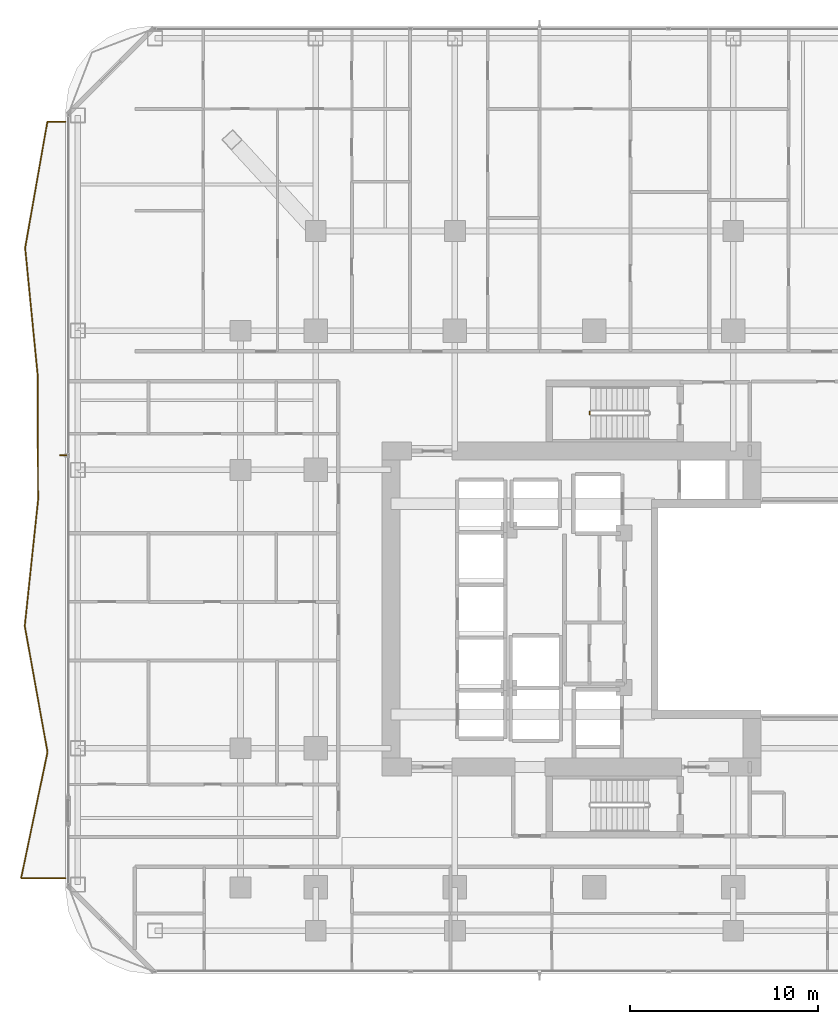
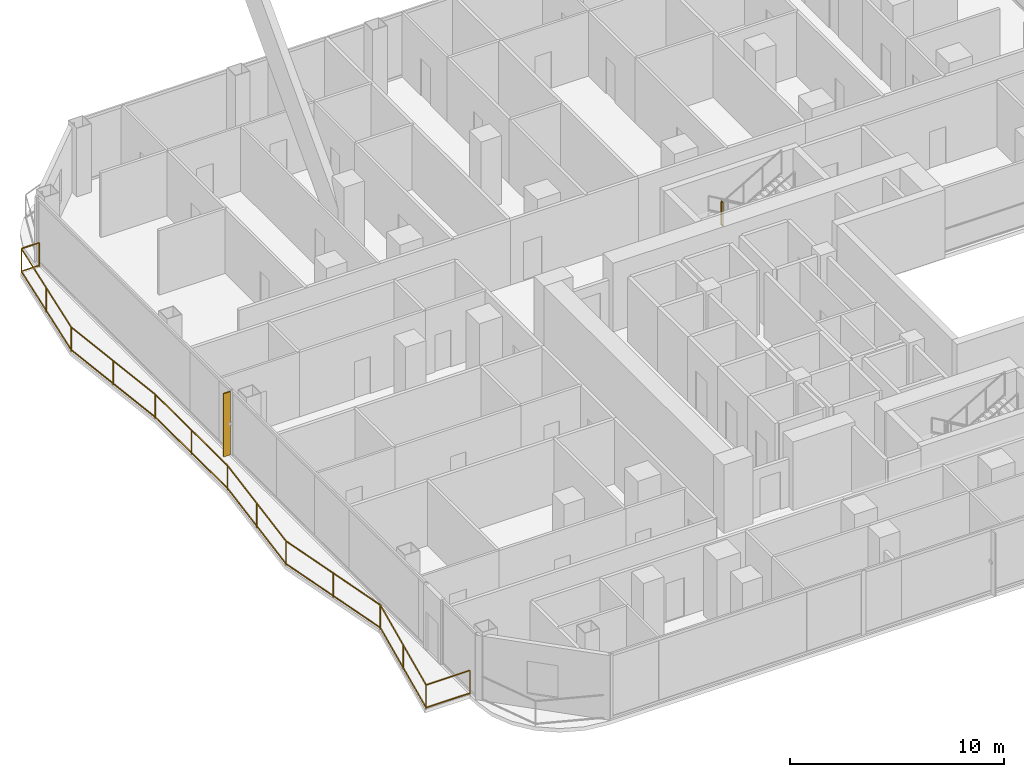
# One storey, part 26 of 28: 2 railings, 1 shading device.
"""IFC4 building model written with IfcOpenShell, lengths in metres."""

from ifc_helpers import new_model, si_unit, direction, frame, origin, origin_2d, place, context, subcontext, project, spatial, rectangle, extrude, material, layer, layer_set, type_object, element, save


model = new_model("IFC4")

# Units and contexts
model_context = context("Model", 3, precision=1e-05, world=origin(), true_north=direction((0.0, 1.0)))
body_context = subcontext(model_context, "Body", "Model", "MODEL_VIEW")
ifc_project = project(units=[si_unit("LENGTHUNIT", "METRE"), si_unit("AREAUNIT", "SQUARE_METRE"), si_unit("VOLUMEUNIT", "CUBIC_METRE"), si_unit("PLANEANGLEUNIT", "RADIAN"), si_unit("MASSUNIT", "GRAM", prefix="KILO")], contexts=[model_context])

# Site, building, storey
site_placement = place(None, origin())
site = spatial("IfcSite", under=ifc_project, at=site_placement, CompositionType="ELEMENT")
building_placement = place(site_placement, origin())
building = spatial("IfcBuilding", under=site, at=building_placement, Name="Khorvyn Point Tower", CompositionType="ELEMENT")
storey_placement = place(building_placement, frame((0.0, 0.0, 89.10009765625)))
storey = spatial("IfcBuildingStorey", under=building, at=storey_placement, Name="L22", CompositionType="ELEMENT", Elevation=89.10009765625)

# Shading device
ifc_material_1 = material(Name="Bronze anodised aluminium 6063-T6", Category="aluminium")
ifc_layer = layer(ifc_material_1, 0.06494140625)
ifc_layer_set = layer_set([ifc_layer], Name="Bronze Anodised Aluminium FIN 380x65")
shading_device_type = type_object("IfcShadingDeviceType", Name="Bronze Anodised Aluminium FIN 380x65", PredefinedType="USERDEFINED", material=ifc_layer_set)
shading_device_placement = place(storey_placement, frame((-28.22998046875, 8.175048828125, 0.039794921875), z_axis=(0.0, 0.0, 1.0), x_axis=(-1.0, 0.0, 0.0)))
element("IfcShadingDevice", 1, at=shading_device_placement, inside=storey, type_object=shading_device_type, Name="L22 Anodised FIN 01", ObjectType="FIN", PredefinedType="USERDEFINED", context=body_context, shape_type="SweptSolid", body=[
    extrude(rectangle(XDim=0.3798828125, YDim=0.06494140625, at=origin_2d()), origin(), (0.0, 0.0, 1.0), 3.60009765625),
])

# Railings
ifc_material_2 = material(Name="Anodised aluminium 6063-T6 and laminated safety glass", Category="aluminium")
railing_type_1 = type_object("IfcRailingType", Name="Laminated Glass and Aluminium Balcony Guardrail 1400", PredefinedType="BALUSTRADE", material=ifc_material_2)
railing_1_placement = place(storey_placement, frame((-28.10009765625, 25.89990234375, 0.0)))
element("IfcRailing", 2, at=railing_1_placement, inside=storey, type_object=railing_type_1, Name="L22 West Balcony Guardrail", PredefinedType="BALUSTRADE", context=body_context, shape_type="SweptSolid", body=[
    extrude(rectangle(XDim=0.048095703125, YDim=0.048095703125, at=origin_2d()), frame((0.0, 0.0, 1.3759765625), z_axis=(-1.0, 0.0, 0.0), x_axis=(0.0, -1.0, 0.0)), (0.0, 0.0, 1.0), 0.968017578125),
    extrude(rectangle(XDim=0.048095703125, YDim=0.048095703125, at=origin_2d()), frame((0.0, 0.0, 0.080078125), z_axis=(-1.0, 0.0, 0.0), x_axis=(0.0, -1.0, 0.0)), (0.0, 0.0, 1.0), 0.968017578125),
    extrude(rectangle(XDim=0.048095703125, YDim=0.048095703125, at=origin_2d()), frame((-0.968017578125, 0.0, 1.3759765625), z_axis=(-0.173650219531, -0.984807392974, 0.0), x_axis=(0.984807392974, -0.173650219531, 0.0)), (0.0, 0.0, 1.0), 6.80322265625),
    extrude(rectangle(XDim=0.048095703125, YDim=0.048095703125, at=origin_2d()), frame((-0.968017578125, 0.0, 0.080078125), z_axis=(-0.173650219531, -0.984807392974, 0.0), x_axis=(0.984807392974, -0.173650219531, 0.0)), (0.0, 0.0, 1.0), 6.80322265625),
    extrude(rectangle(XDim=0.048095703125, YDim=0.048095703125, at=origin_2d()), frame((-2.1494140625, -6.699951171875, 1.3759765625), z_axis=(0.098200318385, -0.995166668186, 0.0), x_axis=(0.995166668186, 0.098200318385, 0.0)), (0.0, 0.0, 1.0), 6.732421875),
    extrude(rectangle(XDim=0.048095703125, YDim=0.048095703125, at=origin_2d()), frame((-2.1494140625, -6.699951171875, 0.080078125), z_axis=(0.098200318385, -0.995166668186, 0.0), x_axis=(0.995166668186, 0.098200318385, 0.0)), (0.0, 0.0, 1.0), 6.732421875),
    extrude(rectangle(XDim=0.048095703125, YDim=0.048095703125, at=origin_2d()), frame((-1.48828125, -13.39990234375, 1.3759765625), z_axis=(0.004117590718, -0.999991522687, 0.0), x_axis=(0.999991522687, 0.004117590718, 0.0)), (0.0, 0.0, 1.0), 6.699951171875),
    extrude(rectangle(XDim=0.048095703125, YDim=0.048095703125, at=origin_2d()), frame((-1.48828125, -13.39990234375, 0.080078125), z_axis=(0.004117590718, -0.999991522687, 0.0), x_axis=(0.999991522687, 0.004117590718, 0.0)), (0.0, 0.0, 1.0), 6.699951171875),
    extrude(rectangle(XDim=0.048095703125, YDim=0.048095703125, at=origin_2d()), frame((-1.460693359375, -20.099853515625, 1.3759765625), z_axis=(-0.105303466428, -0.994440133924, 0.0), x_axis=(0.994440133924, -0.105303466428, 0.0)), (0.0, 0.0, 1.0), 6.7373046875),
    extrude(rectangle(XDim=0.048095703125, YDim=0.048095703125, at=origin_2d()), frame((-1.460693359375, -20.099853515625, 0.080078125), z_axis=(-0.105303466428, -0.994440133924, 0.0), x_axis=(0.994440133924, -0.105303466428, 0.0)), (0.0, 0.0, 1.0), 6.7373046875),
    extrude(rectangle(XDim=0.048095703125, YDim=0.048095703125, at=origin_2d()), frame((-2.170166015625, -26.7998046875, 1.3759765625), z_axis=(0.177780918021, -0.984070091603, 0.0), x_axis=(0.984070091603, 0.177780918021, 0.0)), (0.0, 0.0, 1.0), 6.80859375),
    extrude(rectangle(XDim=0.048095703125, YDim=0.048095703125, at=origin_2d()), frame((-2.170166015625, -26.7998046875, 0.080078125), z_axis=(0.177780918021, -0.984070091603, 0.0), x_axis=(0.984070091603, 0.177780918021, 0.0)), (0.0, 0.0, 1.0), 6.80859375),
    extrude(rectangle(XDim=0.048095703125, YDim=0.048095703125, at=origin_2d()), frame((-0.959716796875, -33.5, 1.3759765625), z_axis=(-0.204901296283, -0.978782641234, 0.0), x_axis=(0.978782641234, -0.204901296283, 0.0)), (0.0, 0.0, 1.0), 6.84521484375),
    extrude(rectangle(XDim=0.048095703125, YDim=0.048095703125, at=origin_2d()), frame((-0.959716796875, -33.5, 0.080078125), z_axis=(-0.204901296283, -0.978782641234, 0.0), x_axis=(0.978782641234, -0.204901296283, 0.0)), (0.0, 0.0, 1.0), 6.84521484375),
    extrude(rectangle(XDim=0.048095703125, YDim=0.048095703125, at=origin_2d()), frame((-2.3623046875, -40.199951171875, 1.3759765625), z_axis=(1.0, 0.0, 0.0), x_axis=(0.0, 1.0, 0.0)), (0.0, 0.0, 1.0), 2.3623046875),
    extrude(rectangle(XDim=0.048095703125, YDim=0.048095703125, at=origin_2d()), frame((-2.3623046875, -40.199951171875, 0.080078125), z_axis=(1.0, 0.0, 0.0), x_axis=(0.0, 1.0, 0.0)), (0.0, 0.0, 1.0), 2.3623046875),
    extrude(rectangle(XDim=0.0419921875, YDim=0.0419921875, at=origin_2d()), origin(), (0.0, 0.0, 1.0), 1.351806640625),
    extrude(rectangle(XDim=0.0419921875, YDim=0.0419921875, at=origin_2d()), frame((-0.968017578125, 0.0, 0.0)), (0.0, 0.0, 1.0), 1.351806640625),
    extrude(rectangle(XDim=0.0419921875, YDim=0.0419921875, at=origin_2d()), frame((-1.55859375, -3.35009765625, 0.0)), (0.0, 0.0, 1.0), 1.351806640625),
    extrude(rectangle(XDim=0.0419921875, YDim=0.0419921875, at=origin_2d()), frame((-2.1494140625, -6.699951171875, 0.0)), (0.0, 0.0, 1.0), 1.351806640625),
    extrude(rectangle(XDim=0.0419921875, YDim=0.0419921875, at=origin_2d()), frame((-1.81884765625, -10.0498046875, 0.0)), (0.0, 0.0, 1.0), 1.351806640625),
    extrude(rectangle(XDim=0.0419921875, YDim=0.0419921875, at=origin_2d()), frame((-1.48828125, -13.39990234375, 0.0)), (0.0, 0.0, 1.0), 1.351806640625),
    extrude(rectangle(XDim=0.0419921875, YDim=0.0419921875, at=origin_2d()), frame((-1.474609375, -16.75, 0.0)), (0.0, 0.0, 1.0), 1.351806640625),
    extrude(rectangle(XDim=0.0419921875, YDim=0.0419921875, at=origin_2d()), frame((-1.460693359375, -20.099853515625, 0.0)), (0.0, 0.0, 1.0), 1.351806640625),
    extrude(rectangle(XDim=0.0419921875, YDim=0.0419921875, at=origin_2d()), frame((-1.8154296875, -23.44970703125, 0.0)), (0.0, 0.0, 1.0), 1.351806640625),
    extrude(rectangle(XDim=0.0419921875, YDim=0.0419921875, at=origin_2d()), frame((-2.170166015625, -26.7998046875, 0.0)), (0.0, 0.0, 1.0), 1.351806640625),
    extrude(rectangle(XDim=0.0419921875, YDim=0.0419921875, at=origin_2d()), frame((-1.56494140625, -30.14990234375, 0.0)), (0.0, 0.0, 1.0), 1.351806640625),
    extrude(rectangle(XDim=0.0419921875, YDim=0.0419921875, at=origin_2d()), frame((-0.959716796875, -33.5, 0.0)), (0.0, 0.0, 1.0), 1.351806640625),
    extrude(rectangle(XDim=0.0419921875, YDim=0.0419921875, at=origin_2d()), frame((-1.6611328125, -36.85009765625, 0.0)), (0.0, 0.0, 1.0), 1.351806640625),
    extrude(rectangle(XDim=0.0419921875, YDim=0.0419921875, at=origin_2d()), frame((-2.3623046875, -40.199951171875, 0.0)), (0.0, 0.0, 1.0), 1.351806640625),
    extrude(rectangle(XDim=0.0419921875, YDim=0.0419921875, at=origin_2d()), frame((0.0, -40.199951171875, 0.0)), (0.0, 0.0, 1.0), 1.351806640625),
])
ifc_material_3 = material(Name="Stainless steel 1.4301", Category="steel")
railing_type_2 = type_object("IfcRailingType", Name="Stainless Steel 304 Stair Well Guardrail 1400", PredefinedType="GUARDRAIL", material=ifc_material_3)
railing_2_placement = place(storey_placement, frame((-0.22998046875, 10.5, 1.949951171875)))
element("IfcRailing", 3, at=railing_2_placement, inside=storey, type_object=railing_type_2, Name="L22 ST-02 stair guard 2", PredefinedType="GUARDRAIL", context=body_context, shape_type="SweptSolid", body=[
    extrude(rectangle(XDim=0.048095703125, YDim=0.048095703125, at=origin_2d()), frame((0.0, 0.0, 1.3759765625), z_axis=(0.0, -1.0, 0.0), x_axis=(1.0, 0.0, 0.0)), (0.0, 0.0, 1.0), 0.159912109375),
    extrude(rectangle(XDim=0.048095703125, YDim=0.048095703125, at=origin_2d()), frame((0.0, 0.0, 0.080078125), z_axis=(0.0, -1.0, 0.0), x_axis=(1.0, 0.0, 0.0)), (0.0, 0.0, 1.0), 0.159912109375),
    extrude(rectangle(XDim=0.0419921875, YDim=0.0419921875, at=origin_2d()), origin(), (0.0, 0.0, 1.0), 1.351806640625),
    extrude(rectangle(XDim=0.0419921875, YDim=0.0419921875, at=origin_2d()), frame((0.0, -0.159912109375, 0.0)), (0.0, 0.0, 1.0), 1.351806640625),
])

save(model, "model.ifc")
